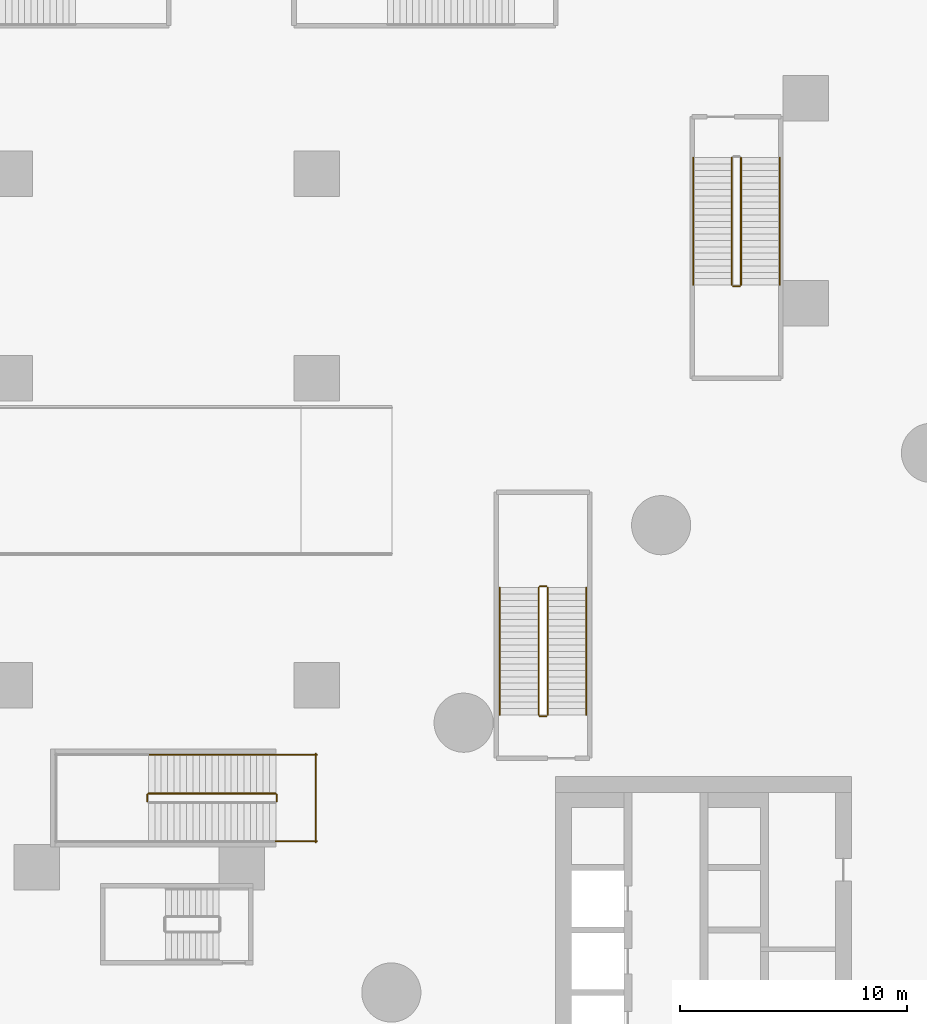
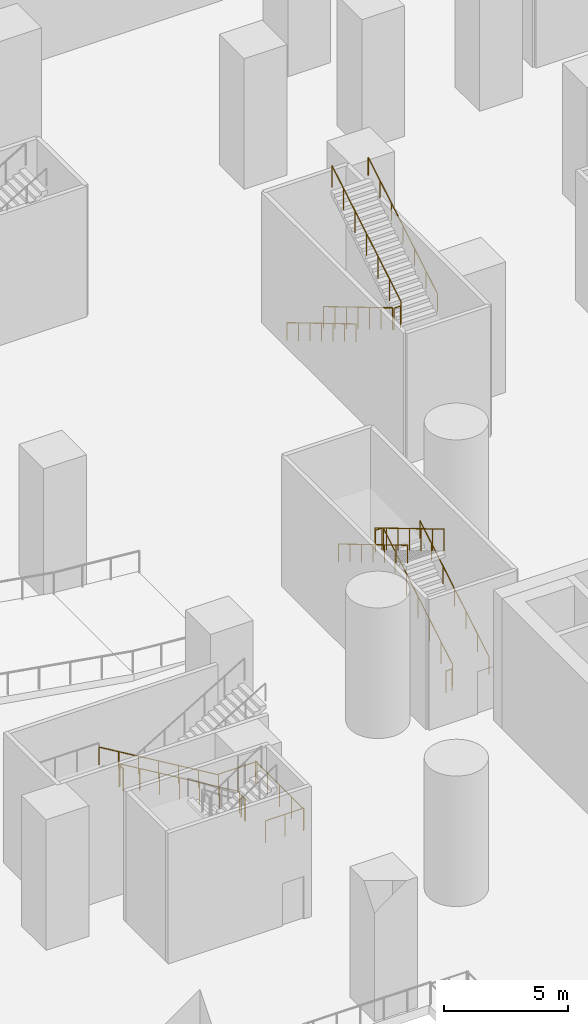
# One storey, part 29 of 37: 18 railings.
"""IFC4 building model written with IfcOpenShell, lengths in metres."""

from ifc_helpers import new_model, si_unit, direction, frame, origin, origin_2d, place, context, subcontext, project, spatial, circle, extrude, material, type_object, element, save


model = new_model("IFC4")

# Units and contexts
model_context = context("Model", 3, precision=1e-05, world=origin(), true_north=direction((0.0, 1.0)))
body_context = subcontext(model_context, "Body", "Model", "MODEL_VIEW")
ifc_project = project(units=[si_unit("LENGTHUNIT", "METRE"), si_unit("AREAUNIT", "SQUARE_METRE"), si_unit("VOLUMEUNIT", "CUBIC_METRE"), si_unit("PLANEANGLEUNIT", "RADIAN"), si_unit("MASSUNIT", "GRAM", prefix="KILO")], contexts=[model_context])

# Site, building, storey
site_placement = place(None, origin())
site = spatial("IfcSite", under=ifc_project, at=site_placement, CompositionType="ELEMENT")
building_placement = place(site_placement, origin())
building = spatial("IfcBuilding", under=site, at=building_placement, Name="Tamarind Cross Interchange Tower", CompositionType="ELEMENT")
storey_placement = place(building_placement, frame((0.0, 0.0, -7.0)))
storey = spatial("IfcBuildingStorey", under=building, at=storey_placement, Name="B1", CompositionType="ELEMENT", Elevation=-7.0)

# Railings
ifc_material_1 = material(Name="Public stair guard")
railing_type_1 = type_object("IfcRailingType", Name="Public stair guard", PredefinedType="GUARDRAIL", material=ifc_material_1)
railing_1_placement = place(storey_placement, frame((-28.800048828125, 8.75, 0.166748046875)))
element("IfcRailing", 1, at=railing_1_placement, inside=storey, type_object=railing_type_1, Name="B1 PS-W stair guard 1", PredefinedType="GUARDRAIL", context=body_context, shape_type="SweptSolid", body=[
    extrude(circle(Radius=0.02392578125, at=origin_2d()), frame((0.0, 0.0, 1.076171875), z_axis=(-0.859292492371, 0.0, 0.511484518392), x_axis=(0.0, -1.0, 0.0)), (0.0, 0.0, 1.0), 6.516845703125),
    extrude(circle(Radius=0.02099609375, at=origin_2d()), origin(), (0.0, 0.0, 1.0), 1.052001953125),
    extrude(circle(Radius=0.02099609375, at=origin_2d()), frame((-0.933349609375, 0.0, 0.5556640625)), (0.0, 0.0, 1.0), 1.052001953125),
    extrude(circle(Radius=0.02099609375, at=origin_2d()), frame((-1.86669921875, 0.0, 1.111083984375)), (0.0, 0.0, 1.0), 1.052001953125),
    extrude(circle(Radius=0.02099609375, at=origin_2d()), frame((-2.7998046875, 0.0, 1.66650390625)), (0.0, 0.0, 1.0), 1.052001953125),
    extrude(circle(Radius=0.02099609375, at=origin_2d()), frame((-3.733154296875, 0.0, 2.22216796875)), (0.0, 0.0, 1.0), 1.052001953125),
    extrude(circle(Radius=0.02099609375, at=origin_2d()), frame((-4.66650390625, 0.0, 2.77783203125)), (0.0, 0.0, 1.0), 1.052001953125),
    extrude(circle(Radius=0.02099609375, at=origin_2d()), frame((-5.599853515625, 0.0, 3.333251953125)), (0.0, 0.0, 1.0), 1.052001953125),
])
for number, where, name in (
    (2, (-34.449951171875, 8.699951171875, 3.5), "B1 PS-W stair guard 2"),
    (3, (-28.75, 8.699951171875, 0.0), "B1 PS-W stair guard 7"),
):
    element("IfcRailing", number, at=place(storey_placement, frame(where)), inside=storey, type_object=railing_type_1, Name=name, PredefinedType="GUARDRAIL", context=body_context, shape_type="SweptSolid", body=[
        extrude(circle(Radius=0.02392578125, at=origin_2d()), frame((0.0, 0.0, 1.076171875), z_axis=(0.0, -1.0, 0.0), x_axis=(1.0, 0.0, 0.0)), (0.0, 0.0, 1.0), 0.300048828125),
        extrude(circle(Radius=0.02099609375, at=origin_2d()), origin(), (0.0, 0.0, 1.0), 1.052001953125),
        extrude(circle(Radius=0.02099609375, at=origin_2d()), frame((0.0, -0.300048828125, 0.0)), (0.0, 0.0, 1.0), 1.052001953125),
    ])
for number, where, name in (
    (4, (-27.0, 10.449951171875, 0.0), "B1 PS-W stair guard 8"),
    (5, (-27.0, 6.64990234375, 0.0), "B1 PS-W stair guard 9"),
):
    element("IfcRailing", number, at=place(storey_placement, frame(where)), inside=storey, type_object=railing_type_1, Name=name, PredefinedType="GUARDRAIL", context=body_context, shape_type="SweptSolid", body=[
        extrude(circle(Radius=0.02392578125, at=origin_2d()), frame((0.0, 0.0, 1.076171875), z_axis=(-1.0, 0.0, 0.0), x_axis=(0.0, -1.0, 0.0)), (0.0, 0.0, 1.0), 1.800048828125),
        extrude(circle(Radius=0.02099609375, at=origin_2d()), origin(), (0.0, 0.0, 1.0), 1.052001953125),
        extrude(circle(Radius=0.02099609375, at=origin_2d()), frame((-0.89990234375, 0.0, 0.0)), (0.0, 0.0, 1.0), 1.052001953125),
        extrude(circle(Radius=0.02099609375, at=origin_2d()), frame((-1.800048828125, 0.0, 0.0)), (0.0, 0.0, 1.0), 1.052001953125),
    ])
railing_2_placement = place(storey_placement, frame((-27.050048828125, 10.5, 0.0)))
element("IfcRailing", 6, at=railing_2_placement, inside=storey, type_object=railing_type_1, Name="B1 PS-W stair guard 10", PredefinedType="GUARDRAIL", context=body_context, shape_type="SweptSolid", body=[
    extrude(circle(Radius=0.02392578125, at=origin_2d()), frame((0.0, 0.0, 1.076171875), z_axis=(0.0, -1.0, 0.0), x_axis=(1.0, 0.0, 0.0)), (0.0, 0.0, 1.0), 3.89990234375),
    extrude(circle(Radius=0.02099609375, at=origin_2d()), origin(), (0.0, 0.0, 1.0), 1.052001953125),
    extrude(circle(Radius=0.02099609375, at=origin_2d()), frame((0.0, -0.97509765625, 0.0)), (0.0, 0.0, 1.0), 1.052001953125),
    extrude(circle(Radius=0.02099609375, at=origin_2d()), frame((0.0, -1.949951171875, 0.0)), (0.0, 0.0, 1.0), 1.052001953125),
    extrude(circle(Radius=0.02099609375, at=origin_2d()), frame((0.0, -2.9248046875, 0.0)), (0.0, 0.0, 1.0), 1.052001953125),
    extrude(circle(Radius=0.02099609375, at=origin_2d()), frame((0.0, -3.89990234375, 0.0)), (0.0, 0.0, 1.0), 1.052001953125),
])
railing_3_placement = place(storey_placement, frame((-16.85009765625, 12.199951171875, 0.166748046875)))
element("IfcRailing", 7, at=railing_3_placement, inside=storey, type_object=railing_type_1, Name="B1 XS-W stair guard 1", PredefinedType="GUARDRAIL", context=body_context, shape_type="SweptSolid", body=[
    extrude(circle(Radius=0.02392578125, at=origin_2d()), frame((0.0, 0.0, 1.076171875), z_axis=(0.0, 0.859302292876, 0.511468053214), x_axis=(-1.0, 0.0, 0.0)), (0.0, 0.0, 1.0), 6.51708984375),
    extrude(circle(Radius=0.02099609375, at=origin_2d()), origin(), (0.0, 0.0, 1.0), 1.052001953125),
    extrude(circle(Radius=0.02099609375, at=origin_2d()), frame((0.0, 0.933349609375, 0.5556640625)), (0.0, 0.0, 1.0), 1.052001953125),
    extrude(circle(Radius=0.02099609375, at=origin_2d()), frame((0.0, 1.86669921875, 1.111083984375)), (0.0, 0.0, 1.0), 1.052001953125),
    extrude(circle(Radius=0.02099609375, at=origin_2d()), frame((0.0, 2.800048828125, 1.66650390625)), (0.0, 0.0, 1.0), 1.052001953125),
    extrude(circle(Radius=0.02099609375, at=origin_2d()), frame((0.0, 3.7333984375, 2.22216796875)), (0.0, 0.0, 1.0), 1.052001953125),
    extrude(circle(Radius=0.02099609375, at=origin_2d()), frame((0.0, 4.666748046875, 2.77783203125)), (0.0, 0.0, 1.0), 1.052001953125),
    extrude(circle(Radius=0.02099609375, at=origin_2d()), frame((0.0, 5.60009765625, 3.333251953125)), (0.0, 0.0, 1.0), 1.052001953125),
])
railing_4_placement = place(storey_placement, frame((-16.89990234375, 17.85009765625, 3.5)))
element("IfcRailing", 8, at=railing_4_placement, inside=storey, type_object=railing_type_1, Name="B1 XS-W stair guard 2", PredefinedType="GUARDRAIL", context=body_context, shape_type="SweptSolid", body=[
    extrude(circle(Radius=0.02392578125, at=origin_2d()), frame((0.0, 0.0, 1.076171875), z_axis=(-1.0, 0.0, 0.0), x_axis=(0.0, -1.0, 0.0)), (0.0, 0.0, 1.0), 0.300048828125),
    extrude(circle(Radius=0.02099609375, at=origin_2d()), origin(), (0.0, 0.0, 1.0), 1.052001953125),
    extrude(circle(Radius=0.02099609375, at=origin_2d()), frame((-0.300048828125, 0.0, 0.0)), (0.0, 0.0, 1.0), 1.052001953125),
])
railing_5_placement = place(storey_placement, frame((-17.25, 17.800048828125, 3.666748046875)))
element("IfcRailing", 9, at=railing_5_placement, inside=storey, type_object=railing_type_1, Name="B1 XS-W stair guard 3", PredefinedType="GUARDRAIL", context=body_context, shape_type="SweptSolid", body=[
    extrude(circle(Radius=0.02392578125, at=origin_2d()), frame((0.0, 0.0, 1.076171875), z_axis=(0.0, -0.859302292876, 0.511468053214), x_axis=(1.0, 0.0, 0.0)), (0.0, 0.0, 1.0), 6.51708984375),
    extrude(circle(Radius=0.02099609375, at=origin_2d()), origin(), (0.0, 0.0, 1.0), 1.052001953125),
    extrude(circle(Radius=0.02099609375, at=origin_2d()), frame((0.0, -0.933349609375, 0.5556640625)), (0.0, 0.0, 1.0), 1.052001953125),
    extrude(circle(Radius=0.02099609375, at=origin_2d()), frame((0.0, -1.86669921875, 1.111083984375)), (0.0, 0.0, 1.0), 1.052001953125),
    extrude(circle(Radius=0.02099609375, at=origin_2d()), frame((0.0, -2.800048828125, 1.66650390625)), (0.0, 0.0, 1.0), 1.052001953125),
    extrude(circle(Radius=0.02099609375, at=origin_2d()), frame((0.0, -3.7333984375, 2.22216796875)), (0.0, 0.0, 1.0), 1.052001953125),
    extrude(circle(Radius=0.02099609375, at=origin_2d()), frame((0.0, -4.666748046875, 2.77783203125)), (0.0, 0.0, 1.0), 1.052001953125),
    extrude(circle(Radius=0.02099609375, at=origin_2d()), frame((0.0, -5.60009765625, 3.333251953125)), (0.0, 0.0, 1.0), 1.052001953125),
])
railing_6_placement = place(storey_placement, frame((-16.89990234375, 12.14990234375, 0.0)))
element("IfcRailing", 10, at=railing_6_placement, inside=storey, type_object=railing_type_1, Name="B1 XS-W stair guard 4", PredefinedType="GUARDRAIL", context=body_context, shape_type="SweptSolid", body=[
    extrude(circle(Radius=0.02392578125, at=origin_2d()), frame((0.0, 0.0, 1.076171875), z_axis=(-1.0, 0.0, 0.0), x_axis=(0.0, -1.0, 0.0)), (0.0, 0.0, 1.0), 0.300048828125),
    extrude(circle(Radius=0.02099609375, at=origin_2d()), origin(), (0.0, 0.0, 1.0), 1.052001953125),
    extrude(circle(Radius=0.02099609375, at=origin_2d()), frame((-0.300048828125, 0.0, 0.0)), (0.0, 0.0, 1.0), 1.052001953125),
])
railing_7_placement = place(storey_placement, frame((-8.75, 36.699951171875, 0.166748046875)))
element("IfcRailing", 11, at=railing_7_placement, inside=storey, type_object=railing_type_1, Name="B1 XS-P13 stair guard 1", PredefinedType="GUARDRAIL", context=body_context, shape_type="SweptSolid", body=[
    extrude(circle(Radius=0.02392578125, at=origin_2d()), frame((0.0, 0.0, 1.076171875), z_axis=(0.0, -0.859292492371, 0.511484518392), x_axis=(1.0, 0.0, 0.0)), (0.0, 0.0, 1.0), 6.516845703125),
    extrude(circle(Radius=0.02099609375, at=origin_2d()), origin(), (0.0, 0.0, 1.0), 1.052001953125),
    extrude(circle(Radius=0.02099609375, at=origin_2d()), frame((0.0, -0.933349609375, 0.5556640625)), (0.0, 0.0, 1.0), 1.052001953125),
    extrude(circle(Radius=0.02099609375, at=origin_2d()), frame((0.0, -1.86669921875, 1.111083984375)), (0.0, 0.0, 1.0), 1.052001953125),
    extrude(circle(Radius=0.02099609375, at=origin_2d()), frame((0.0, -2.7998046875, 1.66650390625)), (0.0, 0.0, 1.0), 1.052001953125),
    extrude(circle(Radius=0.02099609375, at=origin_2d()), frame((0.0, -3.733154296875, 2.22216796875)), (0.0, 0.0, 1.0), 1.052001953125),
    extrude(circle(Radius=0.02099609375, at=origin_2d()), frame((0.0, -4.66650390625, 2.77783203125)), (0.0, 0.0, 1.0), 1.052001953125),
    extrude(circle(Radius=0.02099609375, at=origin_2d()), frame((0.0, -5.599853515625, 3.333251953125)), (0.0, 0.0, 1.0), 1.052001953125),
])
railing_8_placement = place(storey_placement, frame((-8.699951171875, 31.050048828125, 3.5)))
element("IfcRailing", 12, at=railing_8_placement, inside=storey, type_object=railing_type_1, Name="B1 XS-P13 stair guard 2", PredefinedType="GUARDRAIL", context=body_context, shape_type="SweptSolid", body=[
    extrude(circle(Radius=0.02392578125, at=origin_2d()), frame((0.0, 0.0, 1.076171875), z_axis=(1.0, 0.0, 0.0), x_axis=(0.0, 1.0, 0.0)), (0.0, 0.0, 1.0), 0.300048828125),
    extrude(circle(Radius=0.02099609375, at=origin_2d()), origin(), (0.0, 0.0, 1.0), 1.052001953125),
    extrude(circle(Radius=0.02099609375, at=origin_2d()), frame((0.300048828125, 0.0, 0.0)), (0.0, 0.0, 1.0), 1.052001953125),
])
railing_9_placement = place(storey_placement, frame((-8.35009765625, 31.10009765625, 3.666748046875)))
element("IfcRailing", 13, at=railing_9_placement, inside=storey, type_object=railing_type_1, Name="B1 XS-P13 stair guard 3", PredefinedType="GUARDRAIL", context=body_context, shape_type="SweptSolid", body=[
    extrude(circle(Radius=0.02392578125, at=origin_2d()), frame((0.0, 0.0, 1.076171875), z_axis=(0.0, 0.859292492371, 0.511484518392), x_axis=(-1.0, 0.0, 0.0)), (0.0, 0.0, 1.0), 6.516845703125),
    extrude(circle(Radius=0.02099609375, at=origin_2d()), origin(), (0.0, 0.0, 1.0), 1.052001953125),
    extrude(circle(Radius=0.02099609375, at=origin_2d()), frame((0.0, 0.933349609375, 0.5556640625)), (0.0, 0.0, 1.0), 1.052001953125),
    extrude(circle(Radius=0.02099609375, at=origin_2d()), frame((0.0, 1.86669921875, 1.111083984375)), (0.0, 0.0, 1.0), 1.052001953125),
    extrude(circle(Radius=0.02099609375, at=origin_2d()), frame((0.0, 2.7998046875, 1.66650390625)), (0.0, 0.0, 1.0), 1.052001953125),
    extrude(circle(Radius=0.02099609375, at=origin_2d()), frame((0.0, 3.733154296875, 2.22216796875)), (0.0, 0.0, 1.0), 1.052001953125),
    extrude(circle(Radius=0.02099609375, at=origin_2d()), frame((0.0, 4.66650390625, 2.77783203125)), (0.0, 0.0, 1.0), 1.052001953125),
    extrude(circle(Radius=0.02099609375, at=origin_2d()), frame((0.0, 5.599853515625, 3.333251953125)), (0.0, 0.0, 1.0), 1.052001953125),
])
ifc_material_2 = material(Name="Public stair handrail")
railing_type_2 = type_object("IfcRailingType", Name="Public stair handrail", PredefinedType="HANDRAIL", material=ifc_material_2)
railing_10_placement = place(storey_placement, frame((-28.800048828125, 10.449951171875, 0.166748046875)))
element("IfcRailing", 14, at=railing_10_placement, inside=storey, type_object=railing_type_2, Name="B1 PS-W stair handrail 1", PredefinedType="HANDRAIL", context=body_context, shape_type="SweptSolid", body=[
    extrude(circle(Radius=0.02392578125, at=origin_2d()), frame((0.0, 0.0, 0.8759765625), z_axis=(-0.859292492371, 0.0, 0.511484518392), x_axis=(0.0, -1.0, 0.0)), (0.0, 0.0, 1.0), 6.516845703125),
    extrude(circle(Radius=0.02099609375, at=origin_2d()), origin(), (0.0, 0.0, 1.0), 0.851806640625),
    extrude(circle(Radius=0.02099609375, at=origin_2d()), frame((-0.933349609375, 0.0, 0.5556640625)), (0.0, 0.0, 1.0), 0.851806640625),
    extrude(circle(Radius=0.02099609375, at=origin_2d()), frame((-1.86669921875, 0.0, 1.111083984375)), (0.0, 0.0, 1.0), 0.851806640625),
    extrude(circle(Radius=0.02099609375, at=origin_2d()), frame((-2.7998046875, 0.0, 1.66650390625)), (0.0, 0.0, 1.0), 0.851806640625),
    extrude(circle(Radius=0.02099609375, at=origin_2d()), frame((-3.733154296875, 0.0, 2.22216796875)), (0.0, 0.0, 1.0), 0.851806640625),
    extrude(circle(Radius=0.02099609375, at=origin_2d()), frame((-4.66650390625, 0.0, 2.77783203125)), (0.0, 0.0, 1.0), 0.851806640625),
    extrude(circle(Radius=0.02099609375, at=origin_2d()), frame((-5.599853515625, 0.0, 3.333251953125)), (0.0, 0.0, 1.0), 0.851806640625),
])
railing_11_placement = place(storey_placement, frame((-15.14990234375, 12.199951171875, 0.166748046875)))
element("IfcRailing", 15, at=railing_11_placement, inside=storey, type_object=railing_type_2, Name="B1 XS-W stair handrail 1", PredefinedType="HANDRAIL", context=body_context, shape_type="SweptSolid", body=[
    extrude(circle(Radius=0.02392578125, at=origin_2d()), frame((0.0, 0.0, 0.8759765625), z_axis=(0.0, 0.859302292876, 0.511468053214), x_axis=(-1.0, 0.0, 0.0)), (0.0, 0.0, 1.0), 6.51708984375),
    extrude(circle(Radius=0.02099609375, at=origin_2d()), origin(), (0.0, 0.0, 1.0), 0.851806640625),
    extrude(circle(Radius=0.02099609375, at=origin_2d()), frame((0.0, 0.933349609375, 0.5556640625)), (0.0, 0.0, 1.0), 0.851806640625),
    extrude(circle(Radius=0.02099609375, at=origin_2d()), frame((0.0, 1.86669921875, 1.111083984375)), (0.0, 0.0, 1.0), 0.851806640625),
    extrude(circle(Radius=0.02099609375, at=origin_2d()), frame((0.0, 2.800048828125, 1.66650390625)), (0.0, 0.0, 1.0), 0.851806640625),
    extrude(circle(Radius=0.02099609375, at=origin_2d()), frame((0.0, 3.7333984375, 2.22216796875)), (0.0, 0.0, 1.0), 0.851806640625),
    extrude(circle(Radius=0.02099609375, at=origin_2d()), frame((0.0, 4.666748046875, 2.77783203125)), (0.0, 0.0, 1.0), 0.851806640625),
    extrude(circle(Radius=0.02099609375, at=origin_2d()), frame((0.0, 5.60009765625, 3.333251953125)), (0.0, 0.0, 1.0), 0.851806640625),
])
railing_12_placement = place(storey_placement, frame((-18.949951171875, 17.800048828125, 3.666748046875)))
element("IfcRailing", 16, at=railing_12_placement, inside=storey, type_object=railing_type_2, Name="B1 XS-W stair handrail 2", PredefinedType="HANDRAIL", context=body_context, shape_type="SweptSolid", body=[
    extrude(circle(Radius=0.02392578125, at=origin_2d()), frame((0.0, 0.0, 0.8759765625), z_axis=(0.0, -0.859302292876, 0.511468053214), x_axis=(1.0, 0.0, 0.0)), (0.0, 0.0, 1.0), 6.51708984375),
    extrude(circle(Radius=0.02099609375, at=origin_2d()), origin(), (0.0, 0.0, 1.0), 0.851806640625),
    extrude(circle(Radius=0.02099609375, at=origin_2d()), frame((0.0, -0.933349609375, 0.5556640625)), (0.0, 0.0, 1.0), 0.851806640625),
    extrude(circle(Radius=0.02099609375, at=origin_2d()), frame((0.0, -1.86669921875, 1.111083984375)), (0.0, 0.0, 1.0), 0.851806640625),
    extrude(circle(Radius=0.02099609375, at=origin_2d()), frame((0.0, -2.800048828125, 1.66650390625)), (0.0, 0.0, 1.0), 0.851806640625),
    extrude(circle(Radius=0.02099609375, at=origin_2d()), frame((0.0, -3.7333984375, 2.22216796875)), (0.0, 0.0, 1.0), 0.851806640625),
    extrude(circle(Radius=0.02099609375, at=origin_2d()), frame((0.0, -4.666748046875, 2.77783203125)), (0.0, 0.0, 1.0), 0.851806640625),
    extrude(circle(Radius=0.02099609375, at=origin_2d()), frame((0.0, -5.60009765625, 3.333251953125)), (0.0, 0.0, 1.0), 0.851806640625),
])
railing_13_placement = place(storey_placement, frame((-10.449951171875, 36.699951171875, 0.166748046875)))
element("IfcRailing", 17, at=railing_13_placement, inside=storey, type_object=railing_type_2, Name="B1 XS-P13 stair handrail 1", PredefinedType="HANDRAIL", context=body_context, shape_type="SweptSolid", body=[
    extrude(circle(Radius=0.02392578125, at=origin_2d()), frame((0.0, 0.0, 0.8759765625), z_axis=(0.0, -0.859292492371, 0.511484518392), x_axis=(1.0, 0.0, 0.0)), (0.0, 0.0, 1.0), 6.516845703125),
    extrude(circle(Radius=0.02099609375, at=origin_2d()), origin(), (0.0, 0.0, 1.0), 0.851806640625),
    extrude(circle(Radius=0.02099609375, at=origin_2d()), frame((0.0, -0.933349609375, 0.5556640625)), (0.0, 0.0, 1.0), 0.851806640625),
    extrude(circle(Radius=0.02099609375, at=origin_2d()), frame((0.0, -1.86669921875, 1.111083984375)), (0.0, 0.0, 1.0), 0.851806640625),
    extrude(circle(Radius=0.02099609375, at=origin_2d()), frame((0.0, -2.7998046875, 1.66650390625)), (0.0, 0.0, 1.0), 0.851806640625),
    extrude(circle(Radius=0.02099609375, at=origin_2d()), frame((0.0, -3.733154296875, 2.22216796875)), (0.0, 0.0, 1.0), 0.851806640625),
    extrude(circle(Radius=0.02099609375, at=origin_2d()), frame((0.0, -4.66650390625, 2.77783203125)), (0.0, 0.0, 1.0), 0.851806640625),
    extrude(circle(Radius=0.02099609375, at=origin_2d()), frame((0.0, -5.599853515625, 3.333251953125)), (0.0, 0.0, 1.0), 0.851806640625),
])
railing_14_placement = place(storey_placement, frame((-6.64990234375, 31.10009765625, 3.666748046875)))
element("IfcRailing", 18, at=railing_14_placement, inside=storey, type_object=railing_type_2, Name="B1 XS-P13 stair handrail 2", PredefinedType="HANDRAIL", context=body_context, shape_type="SweptSolid", body=[
    extrude(circle(Radius=0.02392578125, at=origin_2d()), frame((0.0, 0.0, 0.8759765625), z_axis=(0.0, 0.859292492371, 0.511484518392), x_axis=(-1.0, 0.0, 0.0)), (0.0, 0.0, 1.0), 6.516845703125),
    extrude(circle(Radius=0.02099609375, at=origin_2d()), origin(), (0.0, 0.0, 1.0), 0.851806640625),
    extrude(circle(Radius=0.02099609375, at=origin_2d()), frame((0.0, 0.933349609375, 0.5556640625)), (0.0, 0.0, 1.0), 0.851806640625),
    extrude(circle(Radius=0.02099609375, at=origin_2d()), frame((0.0, 1.86669921875, 1.111083984375)), (0.0, 0.0, 1.0), 0.851806640625),
    extrude(circle(Radius=0.02099609375, at=origin_2d()), frame((0.0, 2.7998046875, 1.66650390625)), (0.0, 0.0, 1.0), 0.851806640625),
    extrude(circle(Radius=0.02099609375, at=origin_2d()), frame((0.0, 3.733154296875, 2.22216796875)), (0.0, 0.0, 1.0), 0.851806640625),
    extrude(circle(Radius=0.02099609375, at=origin_2d()), frame((0.0, 4.66650390625, 2.77783203125)), (0.0, 0.0, 1.0), 0.851806640625),
    extrude(circle(Radius=0.02099609375, at=origin_2d()), frame((0.0, 5.599853515625, 3.333251953125)), (0.0, 0.0, 1.0), 0.851806640625),
])

save(model, "model.ifc")
